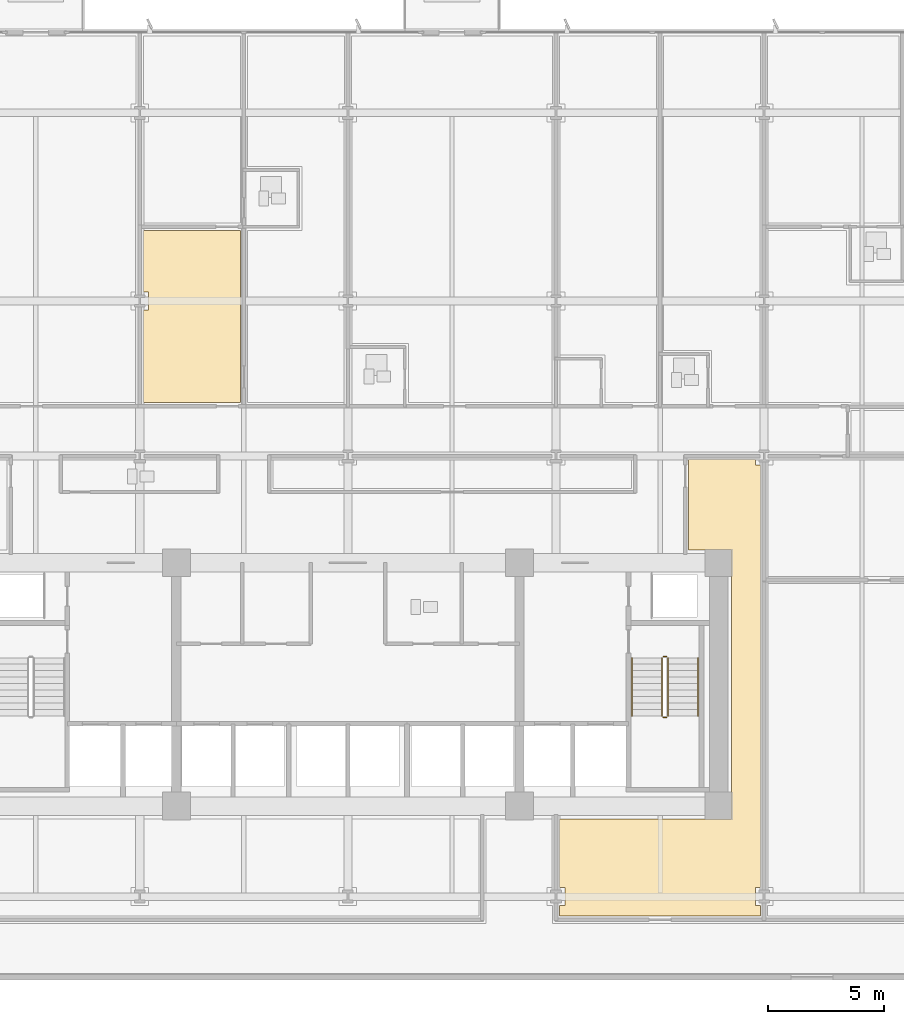
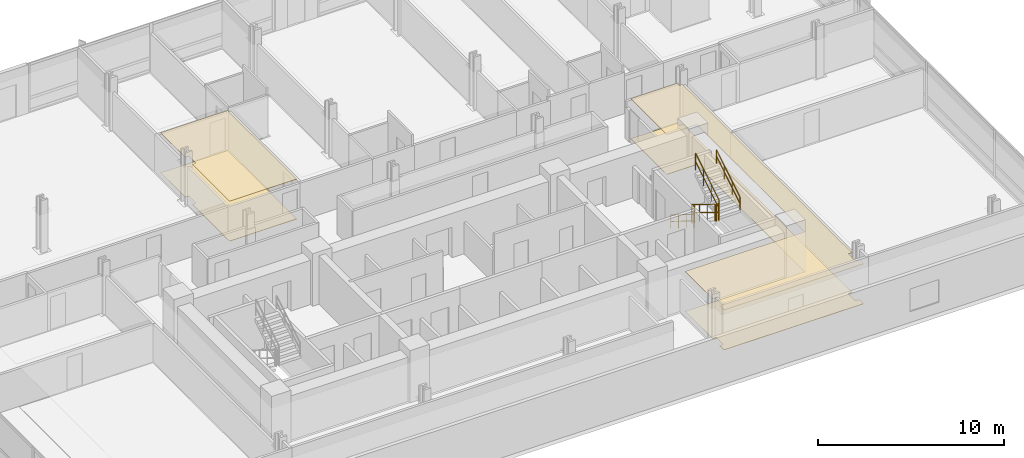
# One storey, part 14 of 17: 6 railings, 4 coverings.
"""IFC4 building model written with IfcOpenShell, lengths in metres."""

from ifc_helpers import new_model, si_unit, direction, frame, origin, origin_2d, place, context, subcontext, project, spatial, polyline, circle, outline, extrude, material, layer, layer_set, type_object, element, save


model = new_model("IFC4")

# Units and contexts
model_context = context("Model", 3, precision=1e-05, world=origin(), true_north=direction((0.0, 1.0)))
body_context = subcontext(model_context, "Body", "Model", "MODEL_VIEW")
ifc_project = project(units=[si_unit("LENGTHUNIT", "METRE"), si_unit("AREAUNIT", "SQUARE_METRE"), si_unit("VOLUMEUNIT", "CUBIC_METRE"), si_unit("PLANEANGLEUNIT", "RADIAN"), si_unit("MASSUNIT", "GRAM", prefix="KILO")], contexts=[model_context])

# Site, building, storey
site_placement = place(None, origin())
site = spatial("IfcSite", under=ifc_project, at=site_placement, CompositionType="ELEMENT")
building_placement = place(site_placement, origin())
building = spatial("IfcBuilding", under=site, at=building_placement, Name="Solmavex Isthmus Hotel", CompositionType="ELEMENT")
storey_placement = place(building_placement, frame((0.0, 0.0, 40.199951171875)))
storey = spatial("IfcBuildingStorey", under=building, at=storey_placement, Name="L10", CompositionType="ELEMENT", Elevation=40.199951171875)

# Coverings
ifc_material_1 = material(Name="Gypsum plasterboard lining", Category="gypsum")
ifc_layer_1 = layer(ifc_material_1, 0.030029296875)
ifc_layer_set_1 = layer_set([ifc_layer_1], Name="Gypsum plasterboard lining")
covering_type_1 = type_object("IfcCoveringType", Name="COV-CEIL-GYP", PredefinedType="CEILING", material=ifc_layer_set_1)
covering_1_placement = place(storey_placement, frame((0.0, 0.0, 2.6201171875)))
element("IfcCovering", 1, at=covering_1_placement, inside=storey, type_object=covering_type_1, Name="Suspended Acoustic Ceiling L10-SL02-FY", PredefinedType="CEILING", context=body_context, shape_type="SweptSolid", body=[
    extrude(outline(polyline([(-8.821044921875, 9.16796875), (-8.595947265625, 9.16796875), (-8.595947265625, 8.407958984375), (-8.821044921875, 8.407958984375), (-8.821044921875, 4.405029296875), (-4.64306640625, 4.405029296875), (-4.64306640625, 11.8330078125), (-8.821044921875, 11.8330078125), (-8.821044921875, 9.16796875)])), origin(), (0.0, 0.0, 1.0), 0.030029296875),
])
covering_2_placement = place(storey_placement, frame((0.0, 0.0, 2.6201171875)))
element("IfcCovering", 2, at=covering_2_placement, inside=storey, type_object=covering_type_1, Name="Suspended Acoustic Ceiling L10-FL13", PredefinedType="CEILING", context=body_context, shape_type="SweptSolid", body=[
    extrude(outline(polyline([(17.797119140625, 1.719970703125), (17.572021484375, 1.719970703125), (17.572021484375, 1.945068359375), (14.698974609375, 1.945068359375), (14.698974609375, -1.945068359375), (16.554931640625, -1.945068359375), (16.554931640625, -13.554931640625), (9.131103515625, -13.554931640625), (9.131103515625, -16.52001953125), (9.35595703125, -16.52001953125), (9.35595703125, -17.280029296875), (9.131103515625, -17.280029296875), (9.131103515625, -17.7451171875), (17.797119140625, -17.7451171875), (17.797119140625, -17.280029296875), (17.572021484375, -17.280029296875), (17.572021484375, -16.52001953125), (17.797119140625, -16.52001953125), (17.797119140625, 1.719970703125)])), origin(), (0.0, 0.0, 1.0), 0.030029296875),
])
ifc_material_2 = material(Name="Travertine natural stone", Category="masonry")
ifc_layer_2 = layer(ifc_material_2, 0.02490234375)
ifc_layer_set_2 = layer_set([ifc_layer_2], Name="Travertine natural stone")
covering_type_2 = type_object("IfcCoveringType", Name="COV-FLOR-STN", PredefinedType="FLOORING", material=ifc_layer_set_2)
covering_3_placement = place(storey_placement, origin())
element("IfcCovering", 3, at=covering_3_placement, inside=storey, type_object=covering_type_2, Name="Stone and Timber Floor Finish L10-SL02-FY", PredefinedType="FLOORING", context=body_context, shape_type="SweptSolid", body=[
    extrude(outline(polyline([(-8.821044921875, 9.16796875), (-8.595947265625, 9.16796875), (-8.595947265625, 8.407958984375), (-8.821044921875, 8.407958984375), (-8.821044921875, 4.405029296875), (-4.64306640625, 4.405029296875), (-4.64306640625, 11.8330078125), (-8.821044921875, 11.8330078125), (-8.821044921875, 9.16796875)])), origin(), (0.0, 0.0, 1.0), 0.025146484375),
])
covering_4_placement = place(storey_placement, origin())
element("IfcCovering", 4, at=covering_4_placement, inside=storey, type_object=covering_type_2, Name="Stone and Timber Floor Finish L10-FL13", PredefinedType="FLOORING", context=body_context, shape_type="SweptSolid", body=[
    extrude(outline(polyline([(17.797119140625, 1.719970703125), (17.572021484375, 1.719970703125), (17.572021484375, 1.945068359375), (14.698974609375, 1.945068359375), (14.698974609375, -1.945068359375), (16.554931640625, -1.945068359375), (16.554931640625, -13.554931640625), (9.131103515625, -13.554931640625), (9.131103515625, -16.52001953125), (9.35595703125, -16.52001953125), (9.35595703125, -17.280029296875), (9.131103515625, -17.280029296875), (9.131103515625, -17.7451171875), (17.797119140625, -17.7451171875), (17.797119140625, -17.280029296875), (17.572021484375, -17.280029296875), (17.572021484375, -16.52001953125), (17.797119140625, -16.52001953125), (17.797119140625, 1.719970703125)])), origin(), (0.0, 0.0, 1.0), 0.025146484375),
])

# Railings
ifc_material_3 = material(Name="Stainless steel 316", Category="steel")
ifc_layer_3 = layer(ifc_material_3, 0.06005859375)
ifc_layer_set_3 = layer_set([ifc_layer_3], Name="Stainless steel 316")
railing_type_1 = type_object("IfcRailingType", Name="RAIL-STAIR-GD", PredefinedType="GUARDRAIL", material=ifc_layer_set_3)
railing_1_placement = place(storey_placement, frame((13.550048828125, -6.60009765625, 0.172607421875)))
element("IfcRailing", 5, at=railing_1_placement, inside=storey, type_object=railing_type_1, Name="L10 ST-2 stair guard 1", PredefinedType="GUARDRAIL", context=body_context, shape_type="SweptSolid", body=[
    extrude(circle(Radius=0.02392578125, at=origin_2d()), frame((0.0, 0.0, 1.09619140625), z_axis=(0.0, -0.851400495292, 0.524516154772), x_axis=(1.0, 0.0, 0.0)), (0.0, 0.0, 1.0), 2.9599609375),
    extrude(circle(Radius=0.02392578125, at=origin_2d()), frame((0.0, 0.0, 0.56005859375), z_axis=(0.0, -0.851400495292, 0.524516154772), x_axis=(1.0, 0.0, 0.0)), (0.0, 0.0, 1.0), 2.9599609375),
    extrude(circle(Radius=0.02099609375, at=origin_2d()), origin(), (0.0, 0.0, 1.0), 1.072021484375),
    extrude(circle(Radius=0.02099609375, at=origin_2d()), frame((0.0, -0.840087890625, 0.517578125)), (0.0, 0.0, 1.0), 1.072021484375),
    extrude(circle(Radius=0.02099609375, at=origin_2d()), frame((0.0, -1.679931640625, 1.034912109375)), (0.0, 0.0, 1.0), 1.072021484375),
    extrude(circle(Radius=0.02099609375, at=origin_2d()), frame((0.0, -2.52001953125, 1.552490234375)), (0.0, 0.0, 1.0), 1.072021484375),
])
railing_2_placement = place(storey_placement, frame((13.60009765625, -9.169921875, 1.72509765625)))
element("IfcRailing", 6, at=railing_2_placement, inside=storey, type_object=railing_type_1, Name="L10 ST-2 stair guard 2", PredefinedType="GUARDRAIL", context=body_context, shape_type="SweptSolid", body=[
    extrude(circle(Radius=0.02392578125, at=origin_2d()), frame((0.0, 0.0, 1.09619140625), z_axis=(1.0, 0.0, 0.0), x_axis=(0.0, 1.0, 0.0)), (0.0, 0.0, 1.0), 0.14990234375),
    extrude(circle(Radius=0.02392578125, at=origin_2d()), frame((0.0, 0.0, 0.56005859375), z_axis=(1.0, 0.0, 0.0), x_axis=(0.0, 1.0, 0.0)), (0.0, 0.0, 1.0), 0.14990234375),
    extrude(circle(Radius=0.02099609375, at=origin_2d()), origin(), (0.0, 0.0, 1.0), 1.072021484375),
    extrude(circle(Radius=0.02099609375, at=origin_2d()), frame((0.14990234375, 0.0, 0.0)), (0.0, 0.0, 1.0), 1.072021484375),
])
railing_3_placement = place(storey_placement, frame((13.800048828125, -9.1201171875, 1.8974609375)))
element("IfcRailing", 7, at=railing_3_placement, inside=storey, type_object=railing_type_1, Name="L10 ST-2 stair guard 3", PredefinedType="GUARDRAIL", context=body_context, shape_type="SweptSolid", body=[
    extrude(circle(Radius=0.02392578125, at=origin_2d()), frame((0.0, 0.0, 1.09619140625), z_axis=(0.0, 0.851400495292, 0.524516154772), x_axis=(-1.0, 0.0, 0.0)), (0.0, 0.0, 1.0), 2.9599609375),
    extrude(circle(Radius=0.02392578125, at=origin_2d()), frame((0.0, 0.0, 0.56005859375), z_axis=(0.0, 0.851400495292, 0.524516154772), x_axis=(-1.0, 0.0, 0.0)), (0.0, 0.0, 1.0), 2.9599609375),
    extrude(circle(Radius=0.02099609375, at=origin_2d()), origin(), (0.0, 0.0, 1.0), 1.072021484375),
    extrude(circle(Radius=0.02099609375, at=origin_2d()), frame((0.0, 0.840087890625, 0.517578125)), (0.0, 0.0, 1.0), 1.072021484375),
    extrude(circle(Radius=0.02099609375, at=origin_2d()), frame((0.0, 1.679931640625, 1.034912109375)), (0.0, 0.0, 1.0), 1.072021484375),
    extrude(circle(Radius=0.02099609375, at=origin_2d()), frame((0.0, 2.52001953125, 1.552490234375)), (0.0, 0.0, 1.0), 1.072021484375),
])
railing_4_placement = place(storey_placement, frame((13.60009765625, -6.550048828125, 0.0)))
element("IfcRailing", 8, at=railing_4_placement, inside=storey, type_object=railing_type_1, Name="L10 ST-2 stair guard 4", PredefinedType="GUARDRAIL", context=body_context, shape_type="SweptSolid", body=[
    extrude(circle(Radius=0.02392578125, at=origin_2d()), frame((0.0, 0.0, 1.09619140625), z_axis=(1.0, 0.0, 0.0), x_axis=(0.0, 1.0, 0.0)), (0.0, 0.0, 1.0), 0.14990234375),
    extrude(circle(Radius=0.02392578125, at=origin_2d()), frame((0.0, 0.0, 0.56005859375), z_axis=(1.0, 0.0, 0.0), x_axis=(0.0, 1.0, 0.0)), (0.0, 0.0, 1.0), 0.14990234375),
    extrude(circle(Radius=0.02099609375, at=origin_2d()), origin(), (0.0, 0.0, 1.0), 1.072021484375),
    extrude(circle(Radius=0.02099609375, at=origin_2d()), frame((0.14990234375, 0.0, 0.0)), (0.0, 0.0, 1.0), 1.072021484375),
])
ifc_layer_4 = layer(ifc_material_3, 0.050048828125)
ifc_layer_set_4 = layer_set([ifc_layer_4], Name="Stainless steel 316")
railing_type_2 = type_object("IfcRailingType", Name="RAIL-STAIR-HR", PredefinedType="HANDRAIL", material=ifc_layer_set_4)
railing_5_placement = place(storey_placement, frame((12.25, -6.60009765625, 0.172607421875)))
element("IfcRailing", 9, at=railing_5_placement, inside=storey, type_object=railing_type_2, Name="L10 ST-2 stair handrail 1", PredefinedType="HANDRAIL", context=body_context, shape_type="SweptSolid", body=[
    extrude(circle(Radius=0.02392578125, at=origin_2d()), frame((0.0, 0.0, 0.8759765625), z_axis=(0.0, -0.851400495292, 0.524516154772), x_axis=(1.0, 0.0, 0.0)), (0.0, 0.0, 1.0), 2.9599609375),
    extrude(circle(Radius=0.02392578125, at=origin_2d()), frame((0.0, 0.0, 0.449951171875), z_axis=(0.0, -0.851400495292, 0.524516154772), x_axis=(1.0, 0.0, 0.0)), (0.0, 0.0, 1.0), 2.9599609375),
    extrude(circle(Radius=0.02099609375, at=origin_2d()), origin(), (0.0, 0.0, 1.0), 0.851806640625),
    extrude(circle(Radius=0.02099609375, at=origin_2d()), frame((0.0, -0.840087890625, 0.517578125)), (0.0, 0.0, 1.0), 0.851806640625),
    extrude(circle(Radius=0.02099609375, at=origin_2d()), frame((0.0, -1.679931640625, 1.034912109375)), (0.0, 0.0, 1.0), 0.851806640625),
    extrude(circle(Radius=0.02099609375, at=origin_2d()), frame((0.0, -2.52001953125, 1.552490234375)), (0.0, 0.0, 1.0), 0.851806640625),
])
railing_6_placement = place(storey_placement, frame((15.10009765625, -9.1201171875, 1.8974609375)))
element("IfcRailing", 10, at=railing_6_placement, inside=storey, type_object=railing_type_2, Name="L10 ST-2 stair handrail 2", PredefinedType="HANDRAIL", context=body_context, shape_type="SweptSolid", body=[
    extrude(circle(Radius=0.02392578125, at=origin_2d()), frame((0.0, 0.0, 0.8759765625), z_axis=(0.0, 0.851400495292, 0.524516154772), x_axis=(-1.0, 0.0, 0.0)), (0.0, 0.0, 1.0), 2.9599609375),
    extrude(circle(Radius=0.02392578125, at=origin_2d()), frame((0.0, 0.0, 0.449951171875), z_axis=(0.0, 0.851400495292, 0.524516154772), x_axis=(-1.0, 0.0, 0.0)), (0.0, 0.0, 1.0), 2.9599609375),
    extrude(circle(Radius=0.02099609375, at=origin_2d()), origin(), (0.0, 0.0, 1.0), 0.851806640625),
    extrude(circle(Radius=0.02099609375, at=origin_2d()), frame((0.0, 0.840087890625, 0.517578125)), (0.0, 0.0, 1.0), 0.851806640625),
    extrude(circle(Radius=0.02099609375, at=origin_2d()), frame((0.0, 1.679931640625, 1.034912109375)), (0.0, 0.0, 1.0), 0.851806640625),
    extrude(circle(Radius=0.02099609375, at=origin_2d()), frame((0.0, 2.52001953125, 1.552490234375)), (0.0, 0.0, 1.0), 0.851806640625),
])

save(model, "model.ifc")
